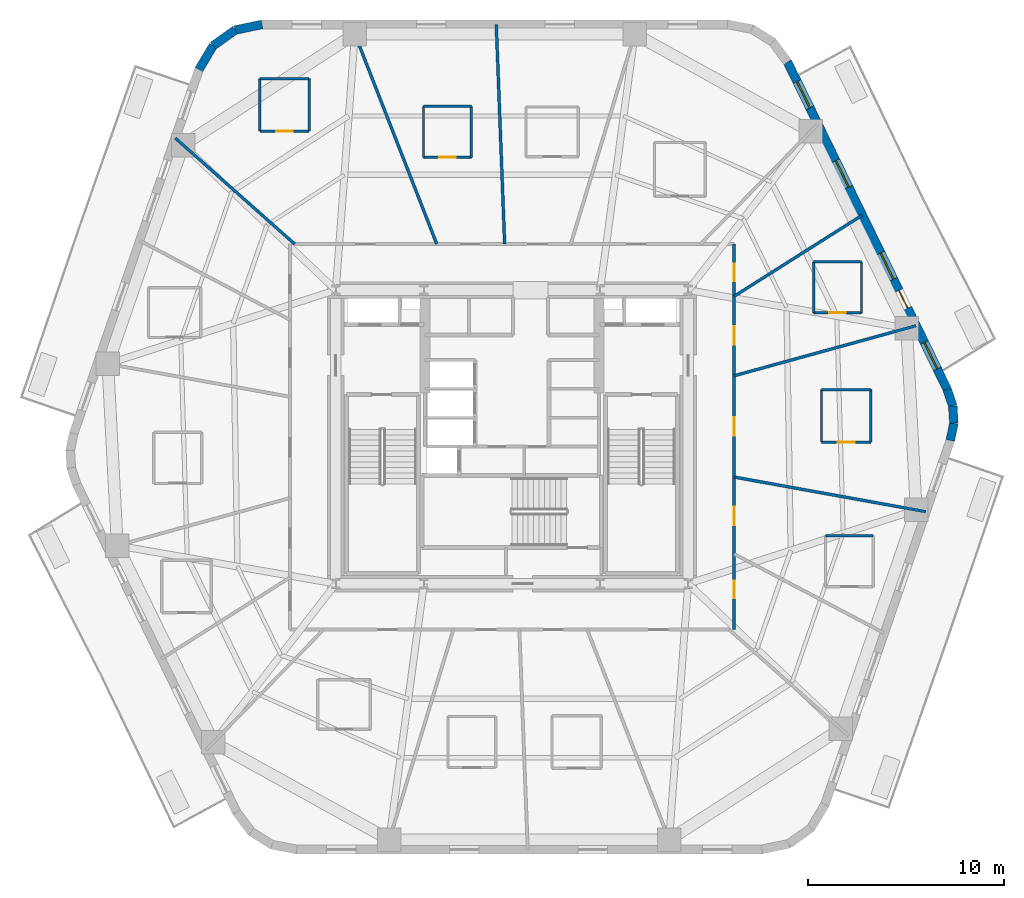
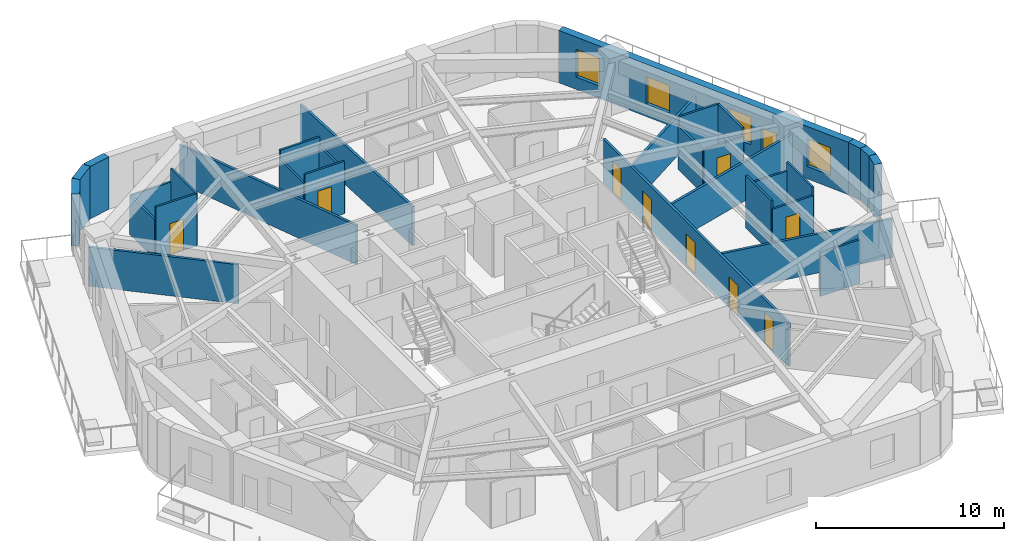
# One storey, part 6 of 10: 31 walls, 10 doors, 4 windows, 14 openings.
"""IFC4 building model written with IfcOpenShell, lengths in metres."""

from ifc_helpers import new_model, si_unit, direction, frame, frame_2d, origin, place, context, subcontext, project, spatial, rectangle, extrude, material, layer, layer_set, type_object, element, fill, save


model = new_model("IFC4")

# Units and contexts
model_context = context("Model", 3, precision=1e-05, world=origin(), true_north=direction((0.0, 1.0)))
body_context = subcontext(model_context, "Body", "Model", "MODEL_VIEW")
ifc_project = project(units=[si_unit("LENGTHUNIT", "METRE"), si_unit("AREAUNIT", "SQUARE_METRE"), si_unit("VOLUMEUNIT", "CUBIC_METRE"), si_unit("PLANEANGLEUNIT", "RADIAN"), si_unit("MASSUNIT", "GRAM", prefix="KILO")], contexts=[model_context])

# Site, building, storey
site_placement = place(None, origin())
site = spatial("IfcSite", under=ifc_project, at=site_placement, CompositionType="ELEMENT")
building_placement = place(site_placement, origin())
building = spatial("IfcBuilding", under=site, at=building_placement, Name="Kilnhurst Terrace Hotel", CompositionType="ELEMENT")
storey_placement = place(building_placement, frame((0.0, 0.0, 113.60009765625)))
storey = spatial("IfcBuildingStorey", under=building, at=storey_placement, Name="L27", CompositionType="ELEMENT", Elevation=113.60009765625)

# Walls
ifc_material_1 = material(Name="Precast concrete C40/50", Category="concrete")
ifc_layer_1 = layer(ifc_material_1, 0.449951171875, Name="Precast concrete C40/50")
ifc_layer_set_1 = layer_set([ifc_layer_1], Name="Precast concrete C40/50")
wall_type_1 = type_object("IfcWallType", Name="WL-BRK-450", PredefinedType="SOLIDWALL", material=ifc_layer_set_1)
wall_1_placement = place(storey_placement, frame((22.39697265625, -0.17919921875, 0.0), z_axis=(0.0, 0.0, 1.0), x_axis=(0.199313589404, 0.979935759669, 0.0)))
element("IfcWall", 1, at=wall_1_placement, inside=storey, type_object=wall_type_1, Name="L27 Rounded Corner Brick Wall C3.1", PredefinedType="SOLIDWALL", context=body_context, shape_type="SweptSolid", body=[
    extrude(rectangle(XDim=0.8955078125, YDim=0.449951171875, at=frame_2d((0.44775390625, 0.0))), origin(), (0.0, 0.0, 1.0), 3.39990234375),
])
wall_2_placement = place(storey_placement, frame((22.575439453125, 0.6982421875, 0.0), z_axis=(0.0, 0.0, 1.0), x_axis=(-0.060980441946, 0.998138961117, 0.0)))
element("IfcWall", 2, at=wall_2_placement, inside=storey, type_object=wall_type_1, Name="L27 Rounded Corner Brick Wall C3.2", PredefinedType="SOLIDWALL", context=body_context, shape_type="SweptSolid", body=[
    extrude(rectangle(XDim=0.880859375, YDim=0.449951171875, at=frame_2d((0.4404296875, 0.0))), origin(), (0.0, 0.0, 1.0), 3.39990234375),
])
wall_3_placement = place(storey_placement, frame((22.521728515625, 1.577392578125, 0.0), z_axis=(0.0, 0.0, 1.0), x_axis=(-0.317372694837, 0.948300887151, 0.0)))
element("IfcWall", 3, at=wall_3_placement, inside=storey, type_object=wall_type_1, Name="L27 Rounded Corner Brick Wall C3.3", PredefinedType="SOLIDWALL", context=body_context, shape_type="SweptSolid", body=[
    extrude(rectangle(XDim=0.8955078125, YDim=0.449951171875, at=frame_2d((0.44775390625, 0.0))), origin(), (0.0, 0.0, 1.0), 3.39990234375),
])
wall_4_placement = place(storey_placement, frame((-12.7705078125, 21.074951171875, 0.0), z_axis=(0.0, 0.0, 1.0), x_axis=(-0.97874281988, -0.205091424819, 0.0)))
element("IfcWall", 4, at=wall_4_placement, inside=storey, type_object=wall_type_1, Name="L27 Rounded Corner Brick Wall C5.1", PredefinedType="SOLIDWALL", context=body_context, shape_type="SweptSolid", body=[
    extrude(rectangle(XDim=1.40576171875, YDim=0.449951171875, at=frame_2d((0.702880859375, 0.0))), origin(), (0.0, 0.0, 1.0), 3.39990234375),
])
wall_5_placement = place(storey_placement, frame((-14.146484375, 20.78662109375, 0.0), z_axis=(0.0, 0.0, 1.0), x_axis=(-0.814162929117, -0.580636482536, 0.0)))
element("IfcWall", 5, at=wall_5_placement, inside=storey, type_object=wall_type_1, Name="L27 Rounded Corner Brick Wall C5.2", PredefinedType="SOLIDWALL", context=body_context, shape_type="SweptSolid", body=[
    extrude(rectangle(XDim=1.382080078125, YDim=0.449951171875, at=frame_2d((0.69091796875, 0.0))), origin(), (0.0, 0.0, 1.0), 3.39990234375),
])
wall_6_placement = place(storey_placement, frame((-15.271728515625, 19.984130859375, 0.0), z_axis=(0.0, 0.0, 1.0), x_axis=(-0.512579347361, -0.858639862025, 0.0)))
element("IfcWall", 6, at=wall_6_placement, inside=storey, type_object=wall_type_1, Name="L27 Rounded Corner Brick Wall C5.3", PredefinedType="SOLIDWALL", context=body_context, shape_type="SweptSolid", body=[
    extrude(rectangle(XDim=1.406005859375, YDim=0.449951171875, at=frame_2d((0.703125, 0.0))), origin(), (0.0, 0.0, 1.0), 3.39990234375),
])

# Wall, openings, door, windows
wall_7_placement = place(storey_placement, frame((22.237548828125, 2.426513671875, 0.0), z_axis=(0.0, 0.0, 1.0), x_axis=(-0.438374803278, 0.898792262901, 0.0)))
wall_7 = element("IfcWall", 7, at=wall_7_placement, inside=storey, type_object=wall_type_1, Name="L27 Exterior Brick Facade Wall F3", PredefinedType="SOLIDWALL", context=body_context, shape_type="SweptSolid", body=[
    extrude(rectangle(XDim=18.618408203125, YDim=0.449951171875, at=frame_2d((9.30908203125, 0.0))), origin(), (0.0, 0.0, 1.0), 3.39990234375),
])
opening_1_placement = place(wall_7_placement, frame((4.6201171875, 0.0, 0.0)))
opening_1 = element("IfcOpeningElement", 8, at=opening_1_placement, cuts=wall_7, Name="Opening BD-1000", PredefinedType="OPENING", context=body_context, shape_type="SweptSolid", body=[
    extrude(rectangle(XDim=1.0, YDim=2.14990234375, at=frame_2d((0.5, 1.074951171875))), frame((0.0, 0.23486328125, 0.0), z_axis=(0.0, -1.0, 0.0), x_axis=(1.0, 0.0, 0.0)), (0.0, 0.0, 1.0), 0.469970703125),
])
opening_2_placement = place(wall_7_placement, frame((6.261962890625, 0.0, 0.800048828125)))
opening_2 = element("IfcOpeningElement", 9, at=opening_2_placement, cuts=wall_7, Name="Opening W-02", PredefinedType="OPENING", context=body_context, shape_type="SweptSolid", body=[
    extrude(rectangle(XDim=1.5, YDim=1.800048828125, at=frame_2d((0.75, 0.89990234375))), frame((0.0, 0.23486328125, 0.0), z_axis=(0.0, -1.0, 0.0), x_axis=(1.0, 0.0, 0.0)), (0.0, 0.0, 1.0), 0.469970703125),
])
opening_3_placement = place(wall_7_placement, frame((11.5009765625, 0.0, 0.800048828125)))
opening_3 = element("IfcOpeningElement", 10, at=opening_3_placement, cuts=wall_7, Name="Opening W-02", PredefinedType="OPENING", context=body_context, shape_type="SweptSolid", body=[
    extrude(rectangle(XDim=1.5, YDim=1.800048828125, at=frame_2d((0.75, 0.89990234375))), frame((0.0, 0.23486328125, 0.0), z_axis=(0.0, -1.0, 0.0), x_axis=(1.0, 0.0, 0.0)), (0.0, 0.0, 1.0), 0.469970703125),
])
opening_4_placement = place(wall_7_placement, frame((16.006103515625, 0.0, 0.800048828125)))
opening_4 = element("IfcOpeningElement", 11, at=opening_4_placement, cuts=wall_7, Name="Opening W-02", PredefinedType="OPENING", context=body_context, shape_type="SweptSolid", body=[
    extrude(rectangle(XDim=1.5, YDim=1.800048828125, at=frame_2d((0.75, 0.89990234375))), frame((0.0, 0.23486328125, 0.0), z_axis=(0.0, -1.0, 0.0), x_axis=(1.0, 0.0, 0.0)), (0.0, 0.0, 1.0), 0.469970703125),
])
opening_5_placement = place(wall_7_placement, frame((1.1630859375, 0.0, 0.800048828125)))
opening_5 = element("IfcOpeningElement", 12, at=opening_5_placement, cuts=wall_7, Name="Opening W-02", PredefinedType="OPENING", context=body_context, shape_type="SweptSolid", body=[
    extrude(rectangle(XDim=1.5, YDim=1.800048828125, at=frame_2d((0.75, 0.89990234375))), frame((0.0, 0.23486328125, 0.0), z_axis=(0.0, -1.0, 0.0), x_axis=(1.0, 0.0, 0.0)), (0.0, 0.0, 1.0), 0.469970703125),
])
ifc_material_2 = material(Name="Thermally Broken Bronze Aluminium Alloy 6063-T6 and Laminated Glass", Category="aluminium")
door_type_1 = type_object("IfcDoorType", Name="DR-EXT-BAL-1000", OperationType="NOTDEFINED", PredefinedType="DOOR", material=ifc_material_2)
door_1_placement = place(opening_1_placement, origin())
door_1 = element("IfcDoor", 13, at=door_1_placement, inside=storey, type_object=door_type_1, Name="L27 Planted Balcony Door BAL-L1B", OperationType="SINGLE_SWING_LEFT", OverallHeight=2.14990234375, OverallWidth=1.0, PredefinedType="DOOR", context=body_context, shape_type="SweptSolid", body=[
    extrude(rectangle(XDim=1.0, YDim=2.14990234375, at=frame_2d((0.5, 1.074951171875))), frame((0.0, 0.02490234375, 0.0), z_axis=(0.0, -1.0, 0.0), x_axis=(1.0, 0.0, 0.0)), (0.0, 0.0, 1.0), 0.050048828125),
])
fill(opening_1, door_1)
ifc_material_3 = material(Name="Thermally Broken Bronze Aluminium Alloy 6063-T6 and Low-E Glass", Category="aluminium")
window_type = type_object("IfcWindowType", Name="WIN-1500X1800", PartitioningType="SINGLE_PANEL", PredefinedType="WINDOW", material=ifc_material_3)
window_1_placement = place(opening_2_placement, origin())
window_1 = element("IfcWindow", 14, at=window_1_placement, inside=storey, type_object=window_type, Name="L27 Deep-Set Masonry Window F3.1", OverallHeight=1.800048828125, OverallWidth=1.5, PartitioningType="SINGLE_PANEL", PredefinedType="WINDOW", context=body_context, shape_type="SweptSolid", body=[
    extrude(rectangle(XDim=1.5, YDim=1.800048828125, at=frame_2d((0.75, 0.89990234375))), frame((0.0, 0.030029296875, 0.0), z_axis=(0.0, -1.0, 0.0), x_axis=(1.0, 0.0, 0.0)), (0.0, 0.0, 1.0), 0.06005859375),
])
fill(opening_2, window_1)
window_2_placement = place(opening_3_placement, origin())
window_2 = element("IfcWindow", 15, at=window_2_placement, inside=storey, type_object=window_type, Name="L27 Deep-Set Masonry Window F3.2", OverallHeight=1.800048828125, OverallWidth=1.5, PartitioningType="SINGLE_PANEL", PredefinedType="WINDOW", context=body_context, shape_type="SweptSolid", body=[
    extrude(rectangle(XDim=1.5, YDim=1.800048828125, at=frame_2d((0.75, 0.89990234375))), frame((0.0, 0.030029296875, 0.0), z_axis=(0.0, -1.0, 0.0), x_axis=(1.0, 0.0, 0.0)), (0.0, 0.0, 1.0), 0.06005859375),
])
fill(opening_3, window_2)
window_3_placement = place(opening_4_placement, origin())
window_3 = element("IfcWindow", 16, at=window_3_placement, inside=storey, type_object=window_type, Name="L27 Deep-Set Masonry Window F3.3", OverallHeight=1.800048828125, OverallWidth=1.5, PartitioningType="SINGLE_PANEL", PredefinedType="WINDOW", context=body_context, shape_type="SweptSolid", body=[
    extrude(rectangle(XDim=1.5, YDim=1.800048828125, at=frame_2d((0.75, 0.89990234375))), frame((0.0, 0.030029296875, 0.0), z_axis=(0.0, -1.0, 0.0), x_axis=(1.0, 0.0, 0.0)), (0.0, 0.0, 1.0), 0.06005859375),
])
fill(opening_4, window_3)
window_4_placement = place(opening_5_placement, origin())
window_4 = element("IfcWindow", 17, at=window_4_placement, inside=storey, type_object=window_type, Name="L27 Deep-Set Masonry Window F3.4", OverallHeight=1.800048828125, OverallWidth=1.5, PartitioningType="SINGLE_PANEL", PredefinedType="WINDOW", context=body_context, shape_type="SweptSolid", body=[
    extrude(rectangle(XDim=1.5, YDim=1.800048828125, at=frame_2d((0.75, 0.89990234375))), frame((0.0, 0.030029296875, 0.0), z_axis=(0.0, -1.0, 0.0), x_axis=(1.0, 0.0, 0.0)), (0.0, 0.0, 1.0), 0.06005859375),
])
fill(opening_5, window_4)

# Wall, openings, doors
ifc_material_4 = material(Name="Acoustic Double-Gypsum Corridor Partition Assembly")
ifc_layer_2 = layer(ifc_material_4, 0.14990234375, Name="Acoustic Double-Gypsum Corridor Partition Assembly")
ifc_layer_set_2 = layer_set([ifc_layer_2], Name="Acoustic Double-Gypsum Corridor Partition Assembly")
wall_type_2 = type_object("IfcWallType", Name="WL-COR-150", PredefinedType="PARTITIONING", material=ifc_layer_set_2)
wall_8_placement = place(storey_placement, frame((11.35009765625, 9.85009765625, 0.0), z_axis=(0.0, 0.0, 1.0), x_axis=(0.0, -1.0, 0.0)))
wall_8 = element("IfcWall", 18, at=wall_8_placement, inside=storey, type_object=wall_type_2, Name="L27 Interior Wall WL-L27-COR-03", PredefinedType="PARTITIONING", context=body_context, shape_type="SweptSolid", body=[
    extrude(rectangle(XDim=19.7001953125, YDim=0.14990234375, at=frame_2d((9.85009765625, 0.0))), origin(), (0.0, 0.0, 1.0), 2.83984375),
])
opening_6_placement = place(wall_8_placement, frame((4.198974609375, 0.0, 0.0)))
opening_6 = element("IfcOpeningElement", 19, at=opening_6_placement, cuts=wall_8, Name="Opening D-60B", PredefinedType="OPENING", context=body_context, shape_type="SweptSolid", body=[
    extrude(rectangle(XDim=0.949951171875, YDim=2.030029296875, at=frame_2d((0.47509765625, 1.01513671875))), frame((0.0, 0.0849609375, 0.0), z_axis=(0.0, -1.0, 0.0), x_axis=(1.0, 0.0, 0.0)), (0.0, 0.0, 1.0), 0.169921875),
])
opening_7_placement = place(wall_8_placement, frame((1.001953125, 0.0, 0.0)))
opening_7 = element("IfcOpeningElement", 20, at=opening_7_placement, cuts=wall_8, Name="Opening D-60C", PredefinedType="OPENING", context=body_context, shape_type="SweptSolid", body=[
    extrude(rectangle(XDim=0.89990234375, YDim=2.030029296875, at=frame_2d((0.449951171875, 1.01513671875))), frame((0.0, 0.0849609375, 0.0), z_axis=(0.0, -1.0, 0.0), x_axis=(1.0, 0.0, 0.0)), (0.0, 0.0, 1.0), 0.169921875),
])
opening_8_placement = place(wall_8_placement, frame((17.197021484375, 0.0, 0.0)))
opening_8 = element("IfcOpeningElement", 21, at=opening_8_placement, cuts=wall_8, Name="Opening D-60C", PredefinedType="OPENING", context=body_context, shape_type="SweptSolid", body=[
    extrude(rectangle(XDim=0.89990234375, YDim=2.030029296875, at=frame_2d((0.449951171875, 1.01513671875))), frame((0.0, 0.0849609375, 0.0), z_axis=(0.0, -1.0, 0.0), x_axis=(1.0, 0.0, 0.0)), (0.0, 0.0, 1.0), 0.169921875),
])
opening_9_placement = place(wall_8_placement, frame((13.407958984375, 0.0, 0.0)))
opening_9 = element("IfcOpeningElement", 22, at=opening_9_placement, cuts=wall_8, Name="Opening D-60B", PredefinedType="OPENING", context=body_context, shape_type="SweptSolid", body=[
    extrude(rectangle(XDim=0.949951171875, YDim=2.030029296875, at=frame_2d((0.47509765625, 1.01513671875))), frame((0.0, 0.0849609375, 0.0), z_axis=(0.0, -1.0, 0.0), x_axis=(1.0, 0.0, 0.0)), (0.0, 0.0, 1.0), 0.169921875),
])
opening_10_placement = place(wall_8_placement, frame((8.8359375, 0.0, 0.0)))
opening_10 = element("IfcOpeningElement", 23, at=opening_10_placement, cuts=wall_8, Name="Opening D-60B", PredefinedType="OPENING", context=body_context, shape_type="SweptSolid", body=[
    extrude(rectangle(XDim=0.949951171875, YDim=2.030029296875, at=frame_2d((0.47509765625, 1.01513671875))), frame((0.0, 0.0849609375, 0.0), z_axis=(0.0, -1.0, 0.0), x_axis=(1.0, 0.0, 0.0)), (0.0, 0.0, 1.0), 0.169921875),
])
ifc_material_5 = material(Name="Painted Solid-Core Service Fire Door")
door_type_2 = type_object("IfcDoorType", Name="DR-FD60-900", OperationType="NOTDEFINED", PredefinedType="DOOR", material=ifc_material_5)
door_2_placement = place(opening_7_placement, origin())
door_2 = element("IfcDoor", 24, at=door_2_placement, inside=storey, type_object=door_type_2, Name="L27 Private Study Salon Door 2", OperationType="SINGLE_SWING_RIGHT", OverallHeight=2.030029296875, OverallWidth=0.89990234375, PredefinedType="DOOR", context=body_context, shape_type="SweptSolid", body=[
    extrude(rectangle(XDim=0.89990234375, YDim=2.030029296875, at=frame_2d((0.449951171875, 1.01513671875))), frame((0.0, 0.02490234375, 0.0), z_axis=(0.0, -1.0, 0.0), x_axis=(1.0, 0.0, 0.0)), (0.0, 0.0, 1.0), 0.050048828125),
])
fill(opening_7, door_2)
door_3_placement = place(opening_8_placement, origin())
door_3 = element("IfcDoor", 25, at=door_3_placement, inside=storey, type_object=door_type_2, Name="L27 Private Meeting Salon Door 16", OperationType="SINGLE_SWING_RIGHT", OverallHeight=2.030029296875, OverallWidth=0.89990234375, PredefinedType="DOOR", context=body_context, shape_type="SweptSolid", body=[
    extrude(rectangle(XDim=0.89990234375, YDim=2.030029296875, at=frame_2d((0.449951171875, 1.01513671875))), frame((0.0, 0.02490234375, 0.0), z_axis=(0.0, -1.0, 0.0), x_axis=(1.0, 0.0, 0.0)), (0.0, 0.0, 1.0), 0.050048828125),
])
fill(opening_8, door_3)
ifc_material_6 = material(Name="Acoustic Walnut Veneer Solid-Core Fire Door")
door_type_3 = type_object("IfcDoorType", Name="DR-FD60-950", OperationType="NOTDEFINED", PredefinedType="DOOR", material=ifc_material_6)
door_4_placement = place(opening_6_placement, origin())
door_4 = element("IfcDoor", 26, at=door_4_placement, inside=storey, type_object=door_type_3, Name="L27 Guest Room Entry Door 1", OperationType="SINGLE_SWING_LEFT", OverallHeight=2.030029296875, OverallWidth=0.949951171875, PredefinedType="DOOR", context=body_context, shape_type="SweptSolid", body=[
    extrude(rectangle(XDim=0.949951171875, YDim=2.030029296875, at=frame_2d((0.47509765625, 1.01513671875))), frame((0.0, 0.02490234375, 0.0), z_axis=(0.0, -1.0, 0.0), x_axis=(1.0, 0.0, 0.0)), (0.0, 0.0, 1.0), 0.050048828125),
])
fill(opening_6, door_4)
door_5_placement = place(opening_9_placement, origin())
door_5 = element("IfcDoor", 27, at=door_5_placement, inside=storey, type_object=door_type_3, Name="L27 Guest Room Entry Door 17", OperationType="SINGLE_SWING_LEFT", OverallHeight=2.030029296875, OverallWidth=0.949951171875, PredefinedType="DOOR", context=body_context, shape_type="SweptSolid", body=[
    extrude(rectangle(XDim=0.949951171875, YDim=2.030029296875, at=frame_2d((0.47509765625, 1.01513671875))), frame((0.0, 0.02490234375, 0.0), z_axis=(0.0, -1.0, 0.0), x_axis=(1.0, 0.0, 0.0)), (0.0, 0.0, 1.0), 0.050048828125),
])
fill(opening_9, door_5)
door_6_placement = place(opening_10_placement, origin())
door_6 = element("IfcDoor", 28, at=door_6_placement, inside=storey, type_object=door_type_3, Name="L27 Executive Suite Entry Door 18", OperationType="SINGLE_SWING_RIGHT", OverallHeight=2.030029296875, OverallWidth=0.949951171875, PredefinedType="DOOR", context=body_context, shape_type="SweptSolid", body=[
    extrude(rectangle(XDim=0.949951171875, YDim=2.030029296875, at=frame_2d((0.47509765625, 1.01513671875))), frame((0.0, 0.02490234375, 0.0), z_axis=(0.0, -1.0, 0.0), x_axis=(1.0, 0.0, 0.0)), (0.0, 0.0, 1.0), 0.050048828125),
])
fill(opening_10, door_6)

# Walls
ifc_material_7 = material(Name="STC-58 Acoustic Twin-Frame Guestroom Demising Partition")
ifc_layer_3 = layer(ifc_material_7, 0.14990234375, Name="STC-58 Acoustic Twin-Frame Guestroom Demising Partition")
ifc_layer_set_3 = layer_set([ifc_layer_3], Name="STC-58 Acoustic Twin-Frame Guestroom Demising Partition")
wall_type_3 = type_object("IfcWallType", Name="WL-DEM-150", PredefinedType="PARTITIONING", material=ifc_layer_set_3)
wall_9_placement = place(storey_placement, frame((11.35009765625, 3.123291015625, 0.0), z_axis=(0.0, 0.0, 1.0), x_axis=(0.964151983214, 0.265350623261, 0.0)))
element("IfcWall", 29, at=wall_9_placement, inside=storey, type_object=wall_type_3, Name="L27 Interior Wall WL-L27-DEM-COL01-01-1", PredefinedType="PARTITIONING", context=body_context, shape_type="SweptSolid", body=[
    extrude(rectangle(XDim=9.64501953125, YDim=0.14990234375, at=frame_2d((4.822509765625, 0.0))), origin(), (0.0, 0.0, 1.0), 2.539794921875),
])
wall_10_placement = place(storey_placement, frame((11.35009765625, 7.185302734375, 0.0), z_axis=(0.0, 0.0, 1.0), x_axis=(0.844928274737, 0.534879622485, 0.0)))
element("IfcWall", 30, at=wall_10_placement, inside=storey, type_object=wall_type_3, Name="L27 Interior Wall WL-L27-DEM-MID01-02-1", PredefinedType="PARTITIONING", context=body_context, shape_type="SweptSolid", body=[
    extrude(rectangle(XDim=7.746826171875, YDim=0.14990234375, at=frame_2d((3.87353515625, 0.0))), origin(), (0.0, 0.0, 1.0), 2.539794921875),
])
wall_11_placement = place(storey_placement, frame((-0.3759765625, 9.85009765625, 0.0), z_axis=(0.0, 0.0, 1.0), x_axis=(-0.03812177869, 0.999273100804, 0.0)))
element("IfcWall", 31, at=wall_11_placement, inside=storey, type_object=wall_type_3, Name="L27 Interior Wall WL-L27-DEM-MID03-05-1", PredefinedType="PARTITIONING", context=body_context, shape_type="SweptSolid", body=[
    extrude(rectangle(XDim=11.23291015625, YDim=0.14990234375, at=frame_2d((5.616455078125, 0.0))), origin(), (0.0, 0.0, 1.0), 2.539794921875),
])
wall_12_placement = place(storey_placement, frame((-3.84228515625, 9.85009765625, 0.0), z_axis=(0.0, 0.0, 1.0), x_axis=(-0.363432685593, 0.931620460833, 0.0)))
element("IfcWall", 32, at=wall_12_placement, inside=storey, type_object=wall_type_3, Name="L27 Interior Wall WL-L27-DEM-COL04-06-1", PredefinedType="PARTITIONING", context=body_context, shape_type="SweptSolid", body=[
    extrude(rectangle(XDim=12.048828125, YDim=0.14990234375, at=frame_2d((6.0244140625, 0.0))), origin(), (0.0, 0.0, 1.0), 2.539794921875),
])
wall_13_placement = place(storey_placement, frame((-11.097900390625, 9.85009765625, 0.0), z_axis=(0.0, 0.0, 1.0), x_axis=(-0.747904295103, 0.663806572253, 0.0)))
element("IfcWall", 33, at=wall_13_placement, inside=storey, type_object=wall_type_3, Name="L27 Interior Wall WL-L27-DEM-COL05-07-1", PredefinedType="PARTITIONING", context=body_context, shape_type="SweptSolid", body=[
    extrude(rectangle(XDim=8.160400390625, YDim=0.14990234375, at=frame_2d((4.080078125, 0.0))), origin(), (0.0, 0.0, 1.0), 2.539794921875),
])
wall_14_placement = place(storey_placement, frame((11.35009765625, -2.05078125, 0.0), z_axis=(0.0, 0.0, 1.0), x_axis=(0.984068313063, -0.177790762484, 0.0)))
element("IfcWall", 34, at=wall_14_placement, inside=storey, type_object=wall_type_3, Name="L27 Interior Wall WL-L27-DEM-COL12-18-1", PredefinedType="PARTITIONING", context=body_context, shape_type="SweptSolid", body=[
    extrude(rectangle(XDim=9.951416015625, YDim=0.14990234375, at=frame_2d((4.9755859375, 0.0))), origin(), (0.0, 0.0, 1.0), 2.539794921875),
])

# Wall, opening, door
ifc_material_8 = material(Name="120 mm Moisture-Resistant Tile-Backed Bathroom Partition")
ifc_layer_4 = layer(ifc_material_8, 0.1201171875, Name="120 mm Moisture-Resistant Tile-Backed Bathroom Partition")
ifc_layer_set_4 = layer_set([ifc_layer_4], Name="120 mm Moisture-Resistant Tile-Backed Bathroom Partition")
wall_type_4 = type_object("IfcWallType", Name="WL-PART-120", PredefinedType="PARTITIONING", material=ifc_layer_set_4)
wall_15_placement = place(storey_placement, frame((15.4140625, 6.3349609375, 0.0), z_axis=(0.0, 0.0, 1.0), x_axis=(1.0, 0.0, 0.0)))
wall_15 = element("IfcWall", 35, at=wall_15_placement, inside=storey, type_object=wall_type_4, Name="L27 Interior Wall WL-L27-BTH-01-1", PredefinedType="PARTITIONING", context=body_context, shape_type="SweptSolid", body=[
    extrude(rectangle(XDim=2.43994140625, YDim=0.1201171875, at=frame_2d((1.219970703125, 0.0))), origin(), (0.0, 0.0, 1.0), 2.83984375),
])
opening_11_placement = place(wall_15_placement, frame((0.794921875, 0.0, 0.0)))
opening_11 = element("IfcOpeningElement", 36, at=opening_11_placement, cuts=wall_15, Name="Opening D-08A", PredefinedType="OPENING", context=body_context, shape_type="SweptSolid", body=[
    extrude(rectangle(XDim=0.85009765625, YDim=2.030029296875, at=frame_2d((0.425048828125, 1.01513671875))), frame((0.0, 0.070068359375, 0.0), z_axis=(0.0, -1.0, 0.0), x_axis=(1.0, 0.0, 0.0)), (0.0, 0.0, 1.0), 0.14013671875),
])
ifc_material_9 = material(Name="Moisture-Resistant Lacquered En-suite Bathroom Door")
door_type_4 = type_object("IfcDoorType", Name="DR-INT-850", OperationType="NOTDEFINED", PredefinedType="DOOR", material=ifc_material_9)
door_7_placement = place(opening_11_placement, origin())
door_7 = element("IfcDoor", 37, at=door_7_placement, inside=storey, type_object=door_type_4, Name="L27 En-suite Bathroom Door 1", OperationType="SINGLE_SWING_RIGHT", OverallHeight=2.030029296875, OverallWidth=0.85009765625, PredefinedType="DOOR", context=body_context, shape_type="SweptSolid", body=[
    extrude(rectangle(XDim=0.85009765625, YDim=2.030029296875, at=frame_2d((0.425048828125, 1.01513671875))), frame((0.0, 0.02490234375, 0.0), z_axis=(0.0, -1.0, 0.0), x_axis=(1.0, 0.0, 0.0)), (0.0, 0.0, 1.0), 0.050048828125),
])
fill(opening_11, door_7)

# Walls
wall_16_placement = place(storey_placement, frame((17.85400390625, 6.3349609375, 0.0), z_axis=(0.0, 0.0, 1.0), x_axis=(0.0, 1.0, 0.0)))
element("IfcWall", 38, at=wall_16_placement, inside=storey, type_object=wall_type_4, Name="L27 Interior Wall WL-L27-BTH-01-2", PredefinedType="PARTITIONING", context=body_context, shape_type="SweptSolid", body=[
    extrude(rectangle(XDim=2.610107421875, YDim=0.1201171875, at=frame_2d((1.30517578125, 0.0))), origin(), (0.0, 0.0, 1.0), 3.39990234375),
])
wall_17_placement = place(storey_placement, frame((17.85400390625, 8.945068359375, 0.0), z_axis=(0.0, 0.0, 1.0), x_axis=(-1.0, 0.0, 0.0)))
element("IfcWall", 39, at=wall_17_placement, inside=storey, type_object=wall_type_4, Name="L27 Interior Wall WL-L27-BTH-01-3", PredefinedType="PARTITIONING", context=body_context, shape_type="SweptSolid", body=[
    extrude(rectangle(XDim=2.43994140625, YDim=0.1201171875, at=frame_2d((1.219970703125, 0.0))), origin(), (0.0, 0.0, 1.0), 3.39990234375),
])
wall_18_placement = place(storey_placement, frame((15.4140625, 8.945068359375, 0.0), z_axis=(0.0, 0.0, 1.0), x_axis=(0.0, -1.0, 0.0)))
element("IfcWall", 40, at=wall_18_placement, inside=storey, type_object=wall_type_4, Name="L27 Interior Wall WL-L27-BTH-01-4", PredefinedType="PARTITIONING", context=body_context, shape_type="SweptSolid", body=[
    extrude(rectangle(XDim=2.610107421875, YDim=0.1201171875, at=frame_2d((1.30517578125, 0.0))), origin(), (0.0, 0.0, 1.0), 2.83984375),
])

# Wall, opening, door
wall_19_placement = place(storey_placement, frame((-4.52001953125, 14.281982421875, 0.0), z_axis=(0.0, 0.0, 1.0), x_axis=(1.0, 0.0, 0.0)))
wall_19 = element("IfcWall", 41, at=wall_19_placement, inside=storey, type_object=wall_type_4, Name="L27 Interior Wall WL-L27-BTH-05-1", PredefinedType="PARTITIONING", context=body_context, shape_type="SweptSolid", body=[
    extrude(rectangle(XDim=2.43994140625, YDim=0.1201171875, at=frame_2d((1.219970703125, 0.0))), origin(), (0.0, 0.0, 1.0), 3.39990234375),
])
opening_12_placement = place(wall_19_placement, frame((0.794921875, 0.0, 0.0)))
opening_12 = element("IfcOpeningElement", 42, at=opening_12_placement, cuts=wall_19, Name="Opening D-08A", PredefinedType="OPENING", context=body_context, shape_type="SweptSolid", body=[
    extrude(rectangle(XDim=0.85009765625, YDim=2.030029296875, at=frame_2d((0.425048828125, 1.01513671875))), frame((0.0, 0.070068359375, 0.0), z_axis=(0.0, -1.0, 0.0), x_axis=(1.0, 0.0, 0.0)), (0.0, 0.0, 1.0), 0.14013671875),
])
door_8_placement = place(opening_12_placement, origin())
door_8 = element("IfcDoor", 43, at=door_8_placement, inside=storey, type_object=door_type_4, Name="L27 En-suite Bathroom Door 5", OperationType="SINGLE_SWING_RIGHT", OverallHeight=2.030029296875, OverallWidth=0.85009765625, PredefinedType="DOOR", context=body_context, shape_type="SweptSolid", body=[
    extrude(rectangle(XDim=0.85009765625, YDim=2.030029296875, at=frame_2d((0.425048828125, 1.01513671875))), frame((0.0, 0.02490234375, 0.0), z_axis=(0.0, -1.0, 0.0), x_axis=(1.0, 0.0, 0.0)), (0.0, 0.0, 1.0), 0.050048828125),
])
fill(opening_12, door_8)

# Walls
wall_20_placement = place(storey_placement, frame((-2.080078125, 14.281982421875, 0.0), z_axis=(0.0, 0.0, 1.0), x_axis=(0.0, 1.0, 0.0)))
element("IfcWall", 44, at=wall_20_placement, inside=storey, type_object=wall_type_4, Name="L27 Interior Wall WL-L27-BTH-05-2", PredefinedType="PARTITIONING", context=body_context, shape_type="SweptSolid", body=[
    extrude(rectangle(XDim=2.610107421875, YDim=0.1201171875, at=frame_2d((1.30517578125, 0.0))), origin(), (0.0, 0.0, 1.0), 2.84033203125),
])
wall_21_placement = place(storey_placement, frame((-2.080078125, 16.89208984375, 0.0), z_axis=(0.0, 0.0, 1.0), x_axis=(-1.0, 0.0, 0.0)))
element("IfcWall", 45, at=wall_21_placement, inside=storey, type_object=wall_type_4, Name="L27 Interior Wall WL-L27-BTH-05-3", PredefinedType="PARTITIONING", context=body_context, shape_type="SweptSolid", body=[
    extrude(rectangle(XDim=2.43994140625, YDim=0.1201171875, at=frame_2d((1.219970703125, 0.0))), origin(), (0.0, 0.0, 1.0), 3.39990234375),
])
wall_22_placement = place(storey_placement, frame((-4.52001953125, 16.89208984375, 0.0), z_axis=(0.0, 0.0, 1.0), x_axis=(0.0, -1.0, 0.0)))
element("IfcWall", 46, at=wall_22_placement, inside=storey, type_object=wall_type_4, Name="L27 Interior Wall WL-L27-BTH-05-4", PredefinedType="PARTITIONING", context=body_context, shape_type="SweptSolid", body=[
    extrude(rectangle(XDim=2.610107421875, YDim=0.1201171875, at=frame_2d((1.30517578125, 0.0))), origin(), (0.0, 0.0, 1.0), 2.84033203125),
])

# Wall, opening, door
wall_23_placement = place(storey_placement, frame((-12.885009765625, 15.6201171875, 0.0), z_axis=(0.0, 0.0, 1.0), x_axis=(1.0, 0.0, 0.0)))
wall_23 = element("IfcWall", 47, at=wall_23_placement, inside=storey, type_object=wall_type_4, Name="L27 Interior Wall WL-L27-BTH-06-1", PredefinedType="PARTITIONING", context=body_context, shape_type="SweptSolid", body=[
    extrude(rectangle(XDim=2.52001953125, YDim=0.1201171875, at=frame_2d((1.260009765625, 0.0))), origin(), (0.0, 0.0, 1.0), 3.39990234375),
])
opening_13_placement = place(wall_23_placement, frame((0.8349609375, 0.0, 0.0)))
opening_13 = element("IfcOpeningElement", 48, at=opening_13_placement, cuts=wall_23, Name="Opening D-08A", PredefinedType="OPENING", context=body_context, shape_type="SweptSolid", body=[
    extrude(rectangle(XDim=0.85009765625, YDim=2.030029296875, at=frame_2d((0.425048828125, 1.01513671875))), frame((0.0, 0.070068359375, 0.0), z_axis=(0.0, -1.0, 0.0), x_axis=(1.0, 0.0, 0.0)), (0.0, 0.0, 1.0), 0.14013671875),
])
door_9_placement = place(opening_13_placement, origin())
door_9 = element("IfcDoor", 49, at=door_9_placement, inside=storey, type_object=door_type_4, Name="L27 En-suite Bathroom Door 6", OperationType="SINGLE_SWING_LEFT", OverallHeight=2.030029296875, OverallWidth=0.85009765625, PredefinedType="DOOR", context=body_context, shape_type="SweptSolid", body=[
    extrude(rectangle(XDim=0.85009765625, YDim=2.030029296875, at=frame_2d((0.425048828125, 1.01513671875))), frame((0.0, 0.02490234375, 0.0), z_axis=(0.0, -1.0, 0.0), x_axis=(1.0, 0.0, 0.0)), (0.0, 0.0, 1.0), 0.050048828125),
])
fill(opening_13, door_9)

# Walls
wall_24_placement = place(storey_placement, frame((-10.364990234375, 15.6201171875, 0.0), z_axis=(0.0, 0.0, 1.0), x_axis=(0.0, 1.0, 0.0)))
element("IfcWall", 50, at=wall_24_placement, inside=storey, type_object=wall_type_4, Name="L27 Interior Wall WL-L27-BTH-06-2", PredefinedType="PARTITIONING", context=body_context, shape_type="SweptSolid", body=[
    extrude(rectangle(XDim=2.679931640625, YDim=0.1201171875, at=frame_2d((1.33984375, 0.0))), origin(), (0.0, 0.0, 1.0), 3.39990234375),
])
wall_25_placement = place(storey_placement, frame((-10.364990234375, 18.300048828125, 0.0), z_axis=(0.0, 0.0, 1.0), x_axis=(-1.0, 0.0, 0.0)))
element("IfcWall", 51, at=wall_25_placement, inside=storey, type_object=wall_type_4, Name="L27 Interior Wall WL-L27-BTH-06-3", PredefinedType="PARTITIONING", context=body_context, shape_type="SweptSolid", body=[
    extrude(rectangle(XDim=2.52001953125, YDim=0.1201171875, at=frame_2d((1.260009765625, 0.0))), origin(), (0.0, 0.0, 1.0), 2.539794921875),
])
wall_26_placement = place(storey_placement, frame((-12.885009765625, 18.300048828125, 0.0), z_axis=(0.0, 0.0, 1.0), x_axis=(0.0, -1.0, 0.0)))
element("IfcWall", 52, at=wall_26_placement, inside=storey, type_object=wall_type_4, Name="L27 Interior Wall WL-L27-BTH-06-4", PredefinedType="PARTITIONING", context=body_context, shape_type="SweptSolid", body=[
    extrude(rectangle(XDim=2.679931640625, YDim=0.1201171875, at=frame_2d((1.33984375, 0.0))), origin(), (0.0, 0.0, 1.0), 2.539794921875),
])
wall_27_placement = place(storey_placement, frame((18.455078125, -5.0458984375, 0.0), z_axis=(0.0, 0.0, 1.0), x_axis=(-1.0, 0.0, 0.0)))
element("IfcWall", 53, at=wall_27_placement, inside=storey, type_object=wall_type_4, Name="L27 Interior Wall WL-L27-BTH-17-3", PredefinedType="PARTITIONING", context=body_context, shape_type="SweptSolid", body=[
    extrude(rectangle(XDim=2.440185546875, YDim=0.1201171875, at=frame_2d((1.22021484375, 0.0))), origin(), (0.0, 0.0, 1.0), 2.83984375),
])

# Wall, opening, door
wall_28_placement = place(storey_placement, frame((15.81494140625, -0.26611328125, 0.0), z_axis=(0.0, 0.0, 1.0), x_axis=(1.0, 0.0, 0.0)))
wall_28 = element("IfcWall", 54, at=wall_28_placement, inside=storey, type_object=wall_type_4, Name="L27 Interior Wall WL-L27-BTH-18-1", PredefinedType="PARTITIONING", context=body_context, shape_type="SweptSolid", body=[
    extrude(rectangle(XDim=2.52001953125, YDim=0.1201171875, at=frame_2d((1.260009765625, 0.0))), origin(), (0.0, 0.0, 1.0), 2.84033203125),
])
opening_14_placement = place(wall_28_placement, frame((0.8349609375, 0.0, 0.0)))
opening_14 = element("IfcOpeningElement", 55, at=opening_14_placement, cuts=wall_28, Name="Opening D-08A", PredefinedType="OPENING", context=body_context, shape_type="SweptSolid", body=[
    extrude(rectangle(XDim=0.85009765625, YDim=2.030029296875, at=frame_2d((0.425048828125, 1.01513671875))), frame((0.0, 0.070068359375, 0.0), z_axis=(0.0, -1.0, 0.0), x_axis=(1.0, 0.0, 0.0)), (0.0, 0.0, 1.0), 0.14013671875),
])
door_10_placement = place(opening_14_placement, origin())
door_10 = element("IfcDoor", 56, at=door_10_placement, inside=storey, type_object=door_type_4, Name="L27 En-suite Bathroom Door 18", OperationType="SINGLE_SWING_LEFT", OverallHeight=2.030029296875, OverallWidth=0.85009765625, PredefinedType="DOOR", context=body_context, shape_type="SweptSolid", body=[
    extrude(rectangle(XDim=0.85009765625, YDim=2.030029296875, at=frame_2d((0.425048828125, 1.01513671875))), frame((0.0, 0.02490234375, 0.0), z_axis=(0.0, -1.0, 0.0), x_axis=(1.0, 0.0, 0.0)), (0.0, 0.0, 1.0), 0.050048828125),
])
fill(opening_14, door_10)

# Walls
wall_29_placement = place(storey_placement, frame((18.3349609375, -0.26611328125, 0.0), z_axis=(0.0, 0.0, 1.0), x_axis=(0.0, 1.0, 0.0)))
element("IfcWall", 57, at=wall_29_placement, inside=storey, type_object=wall_type_4, Name="L27 Interior Wall WL-L27-BTH-18-2", PredefinedType="PARTITIONING", context=body_context, shape_type="SweptSolid", body=[
    extrude(rectangle(XDim=2.68017578125, YDim=0.1201171875, at=frame_2d((1.340087890625, 0.0))), origin(), (0.0, 0.0, 1.0), 3.39990234375),
])
wall_30_placement = place(storey_placement, frame((18.3349609375, 2.4140625, 0.0), z_axis=(0.0, 0.0, 1.0), x_axis=(-1.0, 0.0, 0.0)))
element("IfcWall", 58, at=wall_30_placement, inside=storey, type_object=wall_type_4, Name="L27 Interior Wall WL-L27-BTH-18-3", PredefinedType="PARTITIONING", context=body_context, shape_type="SweptSolid", body=[
    extrude(rectangle(XDim=2.52001953125, YDim=0.1201171875, at=frame_2d((1.260009765625, 0.0))), origin(), (0.0, 0.0, 1.0), 2.84033203125),
])
wall_31_placement = place(storey_placement, frame((15.81494140625, 2.4140625, 0.0), z_axis=(0.0, 0.0, 1.0), x_axis=(0.0, -1.0, 0.0)))
element("IfcWall", 59, at=wall_31_placement, inside=storey, type_object=wall_type_4, Name="L27 Interior Wall WL-L27-BTH-18-4", PredefinedType="PARTITIONING", context=body_context, shape_type="SweptSolid", body=[
    extrude(rectangle(XDim=2.68017578125, YDim=0.1201171875, at=frame_2d((1.340087890625, 0.0))), origin(), (0.0, 0.0, 1.0), 3.39990234375),
])

save(model, "model.ifc")
